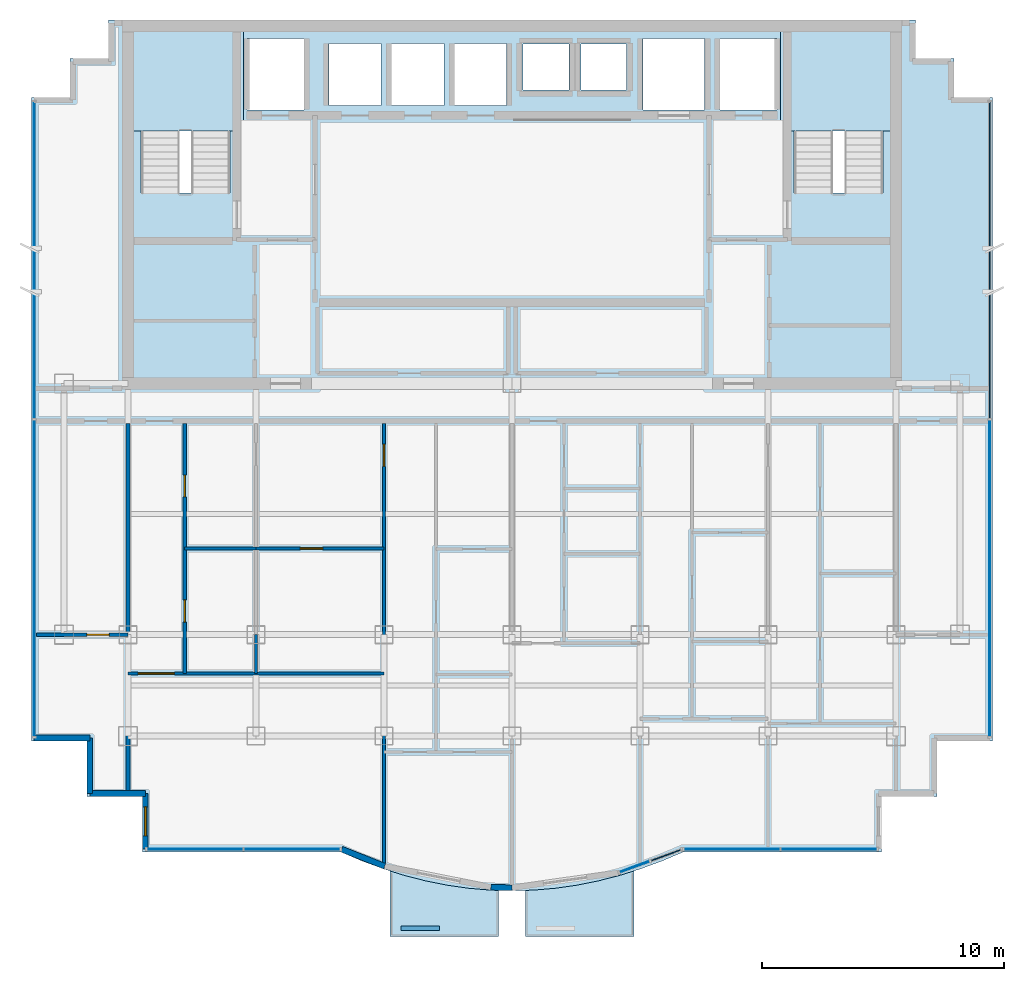
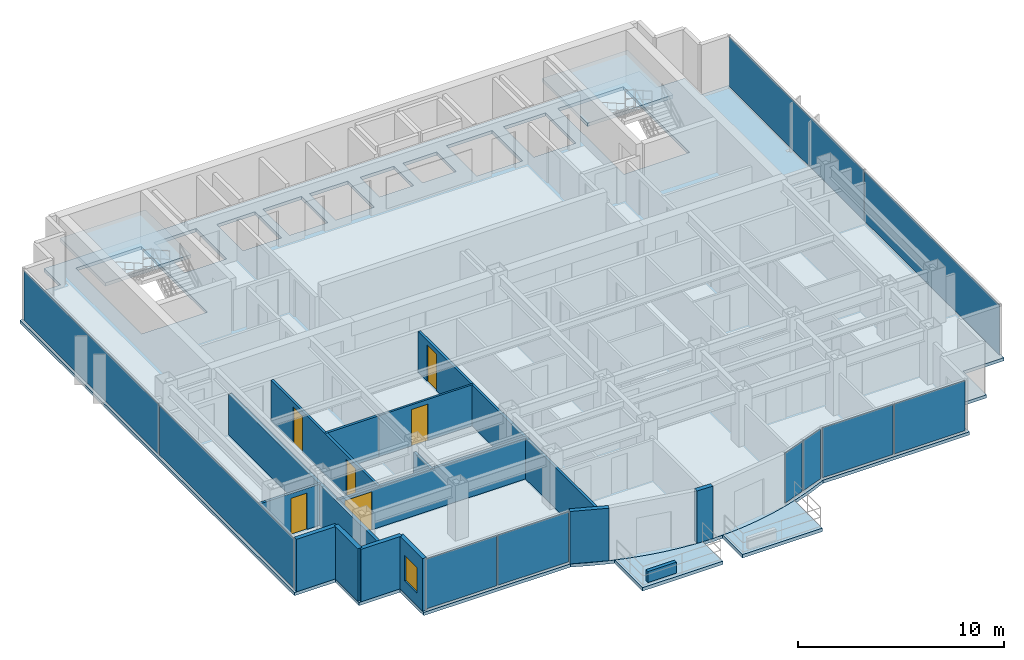
# One storey, part 6 of 12: 15 walls, 10 plates, 6 doors, 5 slabs, 1 window, 7 openings, 7 elements without a shape of their own.
"""IFC4 building model written with IfcOpenShell, lengths in metres."""

from ifc_helpers import new_model, si_unit, direction, frame, frame_2d, origin, origin_2d, place, context, subcontext, project, spatial, polyline, rectangle, outline, extrude, source, transform, mapped, material, layer, layer_set, type_object, element, fill, aggregate, save


model = new_model("IFC4")

# Units and contexts
model_context = context("Model", 3, precision=1e-05, world=origin(), true_north=direction((0.0, 1.0)))
body_context = subcontext(model_context, "Body", "Model", "MODEL_VIEW")
ifc_project = project(units=[si_unit("LENGTHUNIT", "METRE"), si_unit("AREAUNIT", "SQUARE_METRE"), si_unit("VOLUMEUNIT", "CUBIC_METRE"), si_unit("PLANEANGLEUNIT", "RADIAN"), si_unit("MASSUNIT", "GRAM", prefix="KILO")], contexts=[model_context])

# Site, building, storey
site_placement = place(None, origin())
site = spatial("IfcSite", under=ifc_project, at=site_placement, CompositionType="ELEMENT")
building_placement = place(site_placement, origin())
building = spatial("IfcBuilding", under=site, at=building_placement, Name="Qianlan Lanfeng Residences", CompositionType="ELEMENT")
storey_placement = place(building_placement, frame((0.0, 0.0, 216.5)))
storey = spatial("IfcBuildingStorey", under=building, at=storey_placement, Name="L59", CompositionType="ELEMENT", Elevation=216.5)

# Slabs
ifc_material_1 = material(Name="Concrete C42", Category="concrete")
ifc_layer_1 = layer(ifc_material_1, 0.199951171875)
ifc_layer_set_1 = layer_set([ifc_layer_1], Name="Concrete C42")
slab_type_1 = type_object("IfcSlabType", Name="S-BAL-200", PredefinedType="FLOOR", material=ifc_layer_set_1)
slab_1_placement = place(storey_placement, frame((0.0, 0.0, -0.199951171875)))
element("IfcSlab", 1, at=slab_1_placement, inside=storey, type_object=slab_type_1, Name="L59 Planted Tree Balcony Slab SB-W", PredefinedType="FLOOR", context=body_context, shape_type="SweptSolid", body=[
    extrude(outline(polyline([(25.949951171875, 4.216064453125), (25.614990234375, 4.22509765625), (24.72998046875, 4.300048828125), (23.844970703125, 4.425048828125), (22.9599609375, 4.60009765625), (22.074951171875, 4.824951171875), (21.449951171875, 5.01904296875), (21.449951171875, 2.300048828125), (25.949951171875, 2.300048828125), (25.949951171875, 4.216064453125)])), origin(), (0.0, 0.0, 1.0), 0.199951171875),
])
slab_2_placement = place(storey_placement, frame((0.0, 0.0, -0.199951171875)))
element("IfcSlab", 2, at=slab_2_placement, inside=storey, type_object=slab_type_1, Name="L59 Planted Tree Balcony Slab SB-E", PredefinedType="FLOOR", context=body_context, shape_type="SweptSolid", body=[
    extrude(outline(polyline([(31.550048828125, 5.01904296875), (30.925048828125, 4.824951171875), (30.0400390625, 4.60009765625), (29.155029296875, 4.425048828125), (28.27001953125, 4.300048828125), (27.385009765625, 4.22509765625), (27.050048828125, 4.216064453125), (27.050048828125, 2.300048828125), (31.550048828125, 2.300048828125), (31.550048828125, 5.01904296875)])), origin(), (0.0, 0.0, 1.0), 0.199951171875),
])
ifc_layer_2 = layer(ifc_material_1, 0.18994140625)
ifc_layer_set_2 = layer_set([ifc_layer_2], Name="Concrete C42")
slab_type_2 = type_object("IfcSlabType", Name="S-FL-190", PredefinedType="FLOOR", material=ifc_layer_set_2)
slab_3_placement = place(storey_placement, frame((0.0, 0.0, -0.18994140625)))
element("IfcSlab", 3, at=slab_3_placement, inside=storey, type_object=slab_type_2, Name="L59 Structural Floor Slab", PredefinedType="FLOOR", context=body_context, shape_type="SweptSolid", body=[
    extrude(outline(polyline([(6.60009765625, 10.39990234375), (8.89990234375, 10.39990234375), (8.89990234375, 8.10009765625), (11.199951171875, 8.10009765625), (11.199951171875, 5.800048828125), (19.419921875, 5.800048828125), (20.304931640625, 5.425048828125), (21.18994140625, 5.10009765625), (22.074951171875, 4.824951171875), (22.9599609375, 4.60009765625), (23.844970703125, 4.425048828125), (24.72998046875, 4.300048828125), (25.614990234375, 4.22509765625), (26.5, 4.199951171875), (27.385009765625, 4.22509765625), (28.27001953125, 4.300048828125), (29.155029296875, 4.425048828125), (30.0400390625, 4.60009765625), (30.925048828125, 4.824951171875), (31.81005859375, 5.10009765625), (32.695068359375, 5.425048828125), (33.580078125, 5.800048828125), (41.800048828125, 5.800048828125), (41.800048828125, 8.10009765625), (44.10009765625, 8.10009765625), (44.10009765625, 10.39990234375), (46.39990234375, 10.39990234375), (46.39990234375, 37.050048828125), (44.800048828125, 37.050048828125), (44.800048828125, 38.64990234375), (43.199951171875, 38.64990234375), (43.199951171875, 40.25), (9.800048828125, 40.25), (9.800048828125, 38.64990234375), (8.199951171875, 38.64990234375), (8.199951171875, 37.050048828125), (6.60009765625, 37.050048828125), (6.60009765625, 10.39990234375)]), holes=[polyline([(11.139892578125, 33.080078125), (11.139892578125, 39.5), (14.820068359375, 39.5), (14.820068359375, 33.080078125), (11.139892578125, 33.080078125)]), polyline([(38.179931640625, 33.080078125), (38.179931640625, 39.5), (41.860107421875, 39.5), (41.860107421875, 33.080078125), (38.179931640625, 33.080078125)]), polyline([(15.52001953125, 36.52001953125), (15.52001953125, 39.47998046875), (17.8798828125, 39.47998046875), (17.8798828125, 36.52001953125), (15.52001953125, 36.52001953125)]), polyline([(35.1201171875, 36.52001953125), (35.1201171875, 39.47998046875), (37.47998046875, 39.47998046875), (37.47998046875, 36.52001953125), (35.1201171875, 36.52001953125)]), polyline([(31.919921875, 36.52001953125), (31.919921875, 39.47998046875), (34.47998046875, 39.47998046875), (34.47998046875, 36.52001953125), (31.919921875, 36.52001953125)]), polyline([(18.919921875, 36.719970703125), (18.919921875, 39.280029296875), (21.080078125, 39.280029296875), (21.080078125, 36.719970703125), (18.919921875, 36.719970703125)]), polyline([(21.52001953125, 36.719970703125), (21.52001953125, 39.280029296875), (23.679931640625, 39.280029296875), (23.679931640625, 36.719970703125), (21.52001953125, 36.719970703125)]), polyline([(24.1201171875, 36.719970703125), (24.1201171875, 39.280029296875), (26.280029296875, 39.280029296875), (26.280029296875, 36.719970703125), (24.1201171875, 36.719970703125)]), polyline([(26.949951171875, 37.35009765625), (26.949951171875, 39.25), (28.85009765625, 39.25), (28.85009765625, 37.35009765625), (26.949951171875, 37.35009765625)]), polyline([(29.35009765625, 37.35009765625), (29.35009765625, 39.25), (31.25, 39.25), (31.25, 37.35009765625), (29.35009765625, 37.35009765625)])]), origin(), (0.0, 0.0, 1.0), 0.18994140625),
])

# Stair, slab
stair_type = type_object("IfcStairType", Name="STR-MAIN", PredefinedType="HALF_TURN_STAIR", material=ifc_material_1)
stair_1_placement = place(storey_placement, origin())
stair_1 = element("IfcStair", 4, at=stair_1_placement, inside=storey, type_object=stair_type, Name="L59 Exit Stair ST-1", PredefinedType="HALF_TURN_STAIR")
ifc_layer_3 = layer(ifc_material_1, 0.179931640625)
ifc_layer_set_3 = layer_set([ifc_layer_3], Name="Concrete C42")
slab_type_3 = type_object("IfcSlabType", Name="S-LND-180", PredefinedType="LANDING", material=ifc_layer_set_3)
slab_4_placement = place(storey_placement, frame((0.0, 0.0, 1.449951171875)))
slab_4 = element("IfcSlab", 5, at=slab_4_placement, type_object=slab_type_3, Name="ST-1 landing 1", PredefinedType="LANDING", context=body_context, shape_type="SweptSolid", body=[
    extrude(outline(polyline([(10.580078125, 35.659912109375), (15.3798828125, 35.659912109375), (15.3798828125, 40.050048828125), (10.580078125, 40.050048828125), (10.580078125, 35.659912109375)])), origin(), (0.0, 0.0, 1.0), 0.199951171875),
])
aggregate(stair_1, [slab_4])

stair_2_placement = place(storey_placement, origin())
stair_2 = element("IfcStair", 6, at=stair_2_placement, inside=storey, type_object=stair_type, Name="L59 Exit Stair ST-2", PredefinedType="HALF_TURN_STAIR")
slab_5_placement = place(storey_placement, frame((0.0, 0.0, 1.449951171875)))
slab_5 = element("IfcSlab", 7, at=slab_5_placement, type_object=slab_type_3, Name="ST-2 landing 1", PredefinedType="LANDING", context=body_context, shape_type="SweptSolid", body=[
    extrude(outline(polyline([(37.6201171875, 35.659912109375), (42.419921875, 35.659912109375), (42.419921875, 40.050048828125), (37.6201171875, 40.050048828125), (37.6201171875, 35.659912109375)])), origin(), (0.0, 0.0, 1.0), 0.199951171875),
])
aggregate(stair_2, [slab_5])

# Curtain wall, plates
ifc_material_2 = material(Name="Anodised Bronze Aluminium 6063-T6", Category="aluminium")
ifc_layer_4 = layer(ifc_material_2, 0.219970703125)
ifc_layer_set_4 = layer_set([ifc_layer_4], Name="Anodised Bronze Aluminium 6063-T6")
curtain_wall_type = type_object("IfcCurtainWallType", Name="CW-05", PredefinedType="NOTDEFINED", material=ifc_layer_set_4)
curtain_wall_1_placement = place(storey_placement, origin())
curtain_wall_1 = element("IfcCurtainWall", 8, at=curtain_wall_1_placement, inside=storey, type_object=curtain_wall_type, Name="L59 Unitised Curtain Wall CWR-L59-01 (CW-05)", PredefinedType="NOTDEFINED")
ifc_material_3 = material(Name="Dark Bronze Tinted Insulated Glass", Category="glass")
ifc_layer_5 = layer(ifc_material_3, 0.0380859375)
ifc_layer_set_5 = layer_set([ifc_layer_5], Name="Dark Bronze Tinted Insulated Glass")
plate_type_1 = type_object("IfcPlateType", Name="PNL-GLZ-BRZ", PredefinedType="CURTAIN_PANEL", material=ifc_layer_set_5)
shared_shape_1 = source(origin(), body_context, "Body", "SweptSolid", [
    extrude(rectangle(XDim=3.951416015625, YDim=0.0380859375, at=origin_2d()), origin(), (0.0, 0.0, 1.0), 2.9619140625),
])
plate_1_placement = place(storey_placement, frame((13.36962890625, 5.919921875, 0.073974609375), z_axis=(0.0, 0.0, 1.0), x_axis=(1.0, 0.0, 0.0)))
plate_1 = element("IfcPlate", 9, at=plate_1_placement, type_object=plate_type_1, Name="CWR-L59-01 Curtain Panel 1", PredefinedType="CURTAIN_PANEL", context=body_context, shape_type="MappedRepresentation", body=[
    mapped(shared_shape_1, transform((0.0, 0.0, 0.0), scale=1.0)),
])
plate_2_placement = place(storey_placement, frame((17.394287109375, 5.919921875, 0.073974609375), z_axis=(0.0, 0.0, 1.0), x_axis=(1.0, 0.0, 0.0)))
plate_2 = element("IfcPlate", 10, at=plate_2_placement, type_object=plate_type_1, Name="CWR-L59-01 Curtain Panel 2", PredefinedType="CURTAIN_PANEL", context=body_context, shape_type="MappedRepresentation", body=[
    mapped(shared_shape_1, transform((0.0, 0.0, 0.0), scale=1.0)),
])
aggregate(curtain_wall_1, [plate_1, plate_2])

curtain_wall_2_placement = place(storey_placement, origin())
curtain_wall_2 = element("IfcCurtainWall", 11, at=curtain_wall_2_placement, inside=storey, type_object=curtain_wall_type, Name="L59 Unitised Curtain Wall CWR-L59-03 (CW-05)", PredefinedType="NOTDEFINED")
plate_3_placement = place(storey_placement, frame((35.605712890625, 5.919921875, 0.073974609375), z_axis=(0.0, 0.0, 1.0), x_axis=(1.0, 0.0, 0.0)))
plate_3 = element("IfcPlate", 12, at=plate_3_placement, type_object=plate_type_1, Name="CWR-L59-03 Curtain Panel 1", PredefinedType="CURTAIN_PANEL", context=body_context, shape_type="MappedRepresentation", body=[
    mapped(shared_shape_1, transform((0.0, 0.0, 0.0), scale=1.0)),
])
plate_4_placement = place(storey_placement, frame((39.630126953125, 5.919921875, 0.073974609375), z_axis=(0.0, 0.0, 1.0), x_axis=(1.0, 0.0, 0.0)))
plate_4 = element("IfcPlate", 13, at=plate_4_placement, type_object=plate_type_1, Name="CWR-L59-03 Curtain Panel 2", PredefinedType="CURTAIN_PANEL", context=body_context, shape_type="MappedRepresentation", body=[
    mapped(shared_shape_1, transform((0.0, 0.0, 0.0), scale=1.0)),
])
aggregate(curtain_wall_2, [plate_3, plate_4])

curtain_wall_3_placement = place(storey_placement, origin())
curtain_wall_3 = element("IfcCurtainWall", 14, at=curtain_wall_3_placement, inside=storey, type_object=curtain_wall_type, Name="L59 Unitised Curtain Wall CWR-L59-02 (CW-05)", PredefinedType="NOTDEFINED")
shared_shape_2 = source(origin(), body_context, "Body", "SweptSolid", [
    extrude(rectangle(XDim=1.30859375, YDim=0.0380859375, at=origin_2d()), origin(), (0.0, 0.0, 1.0), 2.9619140625),
])
plate_5_placement = place(storey_placement, frame((31.57568359375, 5.192138671875, 0.073974609375), z_axis=(0.0, 0.0, 1.0), x_axis=(0.938625538563, 0.344937818101, 0.0)))
plate_5 = element("IfcPlate", 15, at=plate_5_placement, type_object=plate_type_1, Name="CWR-L59-02 Curtain Panel 1", PredefinedType="CURTAIN_PANEL", context=body_context, shape_type="MappedRepresentation", body=[
    mapped(shared_shape_2, transform((0.0, 0.0, 0.0), scale=1.0)),
])
ifc_material_4 = material(Name="Perforated Anodised Bronze Aluminium Panel", Category="aluminium")
ifc_layer_6 = layer(ifc_material_4, 0.0419921875)
ifc_layer_set_6 = layer_set([ifc_layer_6], Name="Perforated Anodised Bronze Aluminium Panel")
plate_type_2 = type_object("IfcPlateType", Name="PNL-PRF-BRZ", PredefinedType="CURTAIN_PANEL", material=ifc_layer_set_6)
shared_shape_3 = source(origin(), body_context, "Body", "SweptSolid", [
    extrude(rectangle(XDim=1.30859375, YDim=0.0419921875, at=origin_2d()), origin(), (0.0, 0.0, 1.0), 2.9619140625),
])
plate_6_placement = place(storey_placement, frame((32.872314453125, 5.668701171875, 0.073974609375), z_axis=(0.0, 0.0, 1.0), x_axis=(0.938625538563, 0.344937818101, 0.0)))
plate_6 = element("IfcPlate", 16, at=plate_6_placement, type_object=plate_type_2, Name="CWR-L59-02 Curtain Panel 2", PredefinedType="CURTAIN_PANEL", context=body_context, shape_type="MappedRepresentation", body=[
    mapped(shared_shape_3, transform((0.0, 0.0, 0.0), scale=1.0)),
])
aggregate(curtain_wall_3, [plate_5, plate_6])

# Curtain wall, plate
curtain_wall_4_placement = place(storey_placement, origin())
curtain_wall_4 = element("IfcCurtainWall", 17, at=curtain_wall_4_placement, inside=storey, type_object=curtain_wall_type, Name="L59 Unitised Curtain Wall CWR-L59-04 (CW-05)", PredefinedType="NOTDEFINED")
shared_shape_4 = source(origin(), body_context, "Body", "SweptSolid", [
    extrude(rectangle(XDim=13.094482421875, YDim=0.0380859375, at=origin_2d()), origin(), (0.0, 0.0, 1.0), 2.9619140625),
])
plate_7_placement = place(storey_placement, frame((46.280029296875, 17.14111328125, 0.073974609375), z_axis=(0.0, 0.0, 1.0), x_axis=(0.0, 1.0, 0.0)))
plate_7 = element("IfcPlate", 18, at=plate_7_placement, type_object=plate_type_1, Name="CWR-L59-04 Curtain Panel 1", PredefinedType="CURTAIN_PANEL", context=body_context, shape_type="MappedRepresentation", body=[
    mapped(shared_shape_4, transform((0.0, 0.0, 0.0), scale=1.0)),
])

# Curtain wall, plates
curtain_wall_5_placement = place(storey_placement, origin())
curtain_wall_5 = element("IfcCurtainWall", 19, at=curtain_wall_5_placement, inside=storey, type_object=curtain_wall_type, Name="L59 Unitised Curtain Wall CWR-L59-05 (CW-05)", PredefinedType="NOTDEFINED")
plate_8_placement = place(storey_placement, frame((6.719970703125, 30.30859375, 0.073974609375), z_axis=(0.0, 0.0, 1.0), x_axis=(0.0, -1.0, 0.0)))
plate_8 = element("IfcPlate", 20, at=plate_8_placement, type_object=plate_type_1, Name="CWR-L59-05 Curtain Panel 1", PredefinedType="CURTAIN_PANEL", context=body_context, shape_type="MappedRepresentation", body=[
    mapped(shared_shape_4, transform((0.0, 0.0, 0.0), scale=1.0)),
])
plate_9_placement = place(storey_placement, frame((6.719970703125, 17.14111328125, 0.073974609375), z_axis=(0.0, 0.0, 1.0), x_axis=(0.0, -1.0, 0.0)))
plate_9 = element("IfcPlate", 21, at=plate_9_placement, type_object=plate_type_1, Name="CWR-L59-05 Curtain Panel 2", PredefinedType="CURTAIN_PANEL", context=body_context, shape_type="MappedRepresentation", body=[
    mapped(shared_shape_4, transform((0.0, 0.0, 0.0), scale=1.0)),
])
aggregate(curtain_wall_5, [plate_8, plate_9])

# Plate
shared_shape_5 = source(origin(), body_context, "Body", "SweptSolid", [
    extrude(rectangle(XDim=13.094482421875, YDim=0.0419921875, at=origin_2d()), origin(), (0.0, 0.0, 1.0), 2.9619140625),
])
plate_10_placement = place(storey_placement, frame((46.280029296875, 30.30859375, 0.073974609375), z_axis=(0.0, 0.0, 1.0), x_axis=(0.0, 1.0, 0.0)))
plate_10 = element("IfcPlate", 22, at=plate_10_placement, type_object=plate_type_2, Name="CWR-L59-04 Curtain Panel 2", PredefinedType="CURTAIN_PANEL", context=body_context, shape_type="MappedRepresentation", body=[
    mapped(shared_shape_5, transform((0.0, 0.0, 0.0), scale=1.0)),
])

aggregate(curtain_wall_4, [plate_7, plate_10])

# Walls
ifc_layer_7 = layer(ifc_material_1, 0.239990234375)
ifc_layer_set_7 = layer_set([ifc_layer_7], Name="Concrete C42")
wall_type_1 = type_object("IfcWallType", Name="EW-240", PredefinedType="SOLIDWALL", material=ifc_layer_set_7)
for number, where, z_axis, x_axis, name in (
    (23, (6.719970703125, 10.52001953125, 0.0), (0.0, 0.0, 1.0), (1.0, 0.0, 0.0), "L59 Exterior Facade Spandrel Wall 1"),
    (24, (9.02001953125, 10.52001953125, 0.0), (0.0, 0.0, 1.0), (0.0, -1.0, 0.0), "L59 Exterior Facade Spandrel Wall 2"),
    (25, (9.02001953125, 8.219970703125, 0.0), (0.0, 0.0, 1.0), (1.0, 0.0, 0.0), "L59 Exterior Facade Spandrel Wall 3"),
):
    element("IfcWall", number, at=place(storey_placement, frame(where, z_axis=z_axis, x_axis=x_axis)), inside=storey, type_object=wall_type_1, Name=name, PredefinedType="SOLIDWALL", context=body_context, shape_type="SweptSolid", body=[
        extrude(rectangle(XDim=2.300048828125, YDim=0.239990234375, at=frame_2d((1.14990234375, 0.0))), origin(), (0.0, 0.0, 1.0), 3.110107421875),
    ])

# Wall, opening, window
wall_1_placement = place(storey_placement, frame((11.320068359375, 8.219970703125, 0.0), z_axis=(0.0, 0.0, 1.0), x_axis=(0.0, -1.0, 0.0)))
wall_1 = element("IfcWall", 26, at=wall_1_placement, inside=storey, type_object=wall_type_1, Name="L59 Exterior Facade Spandrel Wall 4", PredefinedType="SOLIDWALL", context=body_context, shape_type="SweptSolid", body=[
    extrude(rectangle(XDim=2.300048828125, YDim=0.239990234375, at=frame_2d((1.14990234375, 0.0))), origin(), (0.0, 0.0, 1.0), 3.110107421875),
])
opening_1_placement = place(wall_1_placement, frame((0.550048828125, 0.0, 0.75)))
opening_1 = element("IfcOpeningElement", 27, at=opening_1_placement, cuts=wall_1, Name="Opening W-03", PredefinedType="OPENING", context=body_context, shape_type="SweptSolid", body=[
    extrude(rectangle(XDim=1.199951171875, YDim=1.5, at=frame_2d((0.60009765625, 0.75))), frame((0.0, 0.1298828125, 0.0), z_axis=(0.0, -1.0, 0.0), x_axis=(1.0, 0.0, 0.0)), (0.0, 0.0, 1.0), 0.260009765625),
])
ifc_material_5 = material(Name="Anodised Bronze Aluminium Framed Double Glazing", Category="aluminium")
window_type = type_object("IfcWindowType", Name="W-03", PartitioningType="SINGLE_PANEL", PredefinedType="WINDOW", material=ifc_material_5)
window_placement = place(opening_1_placement, origin())
window = element("IfcWindow", 28, at=window_placement, inside=storey, type_object=window_type, Name="L59 Facade Punched Window W-03", OverallHeight=1.5, OverallWidth=1.199951171875, PartitioningType="SINGLE_PANEL", PredefinedType="WINDOW", context=body_context, shape_type="SweptSolid", body=[
    extrude(rectangle(XDim=1.199951171875, YDim=1.5, at=frame_2d((0.60009765625, 0.75))), frame((0.0, 0.030029296875, 0.0), z_axis=(0.0, -1.0, 0.0), x_axis=(1.0, 0.0, 0.0)), (0.0, 0.0, 1.0), 0.06005859375),
])
fill(opening_1, window)

# Walls
wall_2_placement = place(storey_placement, frame((19.444091796875, 5.919921875, 0.0), z_axis=(0.0, 0.0, 1.0), x_axis=(0.92993442177, -0.367725401906, 0.0)))
element("IfcWall", 29, at=wall_2_placement, inside=storey, type_object=wall_type_1, Name="L59 Exterior Facade Spandrel Wall 5", PredefinedType="SOLIDWALL", context=body_context, shape_type="SweptSolid", body=[
    extrude(rectangle(XDim=1.91943359375, YDim=0.239990234375, at=frame_2d((0.959716796875, 0.0))), origin(), (0.0, 0.0, 1.0), 3.110107421875),
])
wall_3_placement = place(storey_placement, frame((25.6220703125, 4.344970703125, 0.0), z_axis=(0.0, 0.0, 1.0), x_axis=(0.999597960231, -0.028353446035, 0.0)))
element("IfcWall", 30, at=wall_3_placement, inside=storey, type_object=wall_type_1, Name="L59 Exterior Facade Spandrel Wall 7", PredefinedType="SOLIDWALL", context=body_context, shape_type="SweptSolid", body=[
    extrude(rectangle(XDim=0.878173828125, YDim=0.239990234375, at=frame_2d((0.43896484375, 0.0))), origin(), (0.0, 0.0, 1.0), 3.110107421875),
])
ifc_layer_8 = layer(ifc_material_1, 0.199951171875)
ifc_layer_set_8 = layer_set([ifc_layer_8], Name="Concrete C42")
wall_type_2 = type_object("IfcWallType", Name="PL-TREE-200", PredefinedType="PARAPET", material=ifc_layer_set_8)
wall_4_placement = place(storey_placement, frame((21.89990234375, 2.64990234375, 0.0), z_axis=(0.0, 0.0, 1.0), x_axis=(1.0, 0.0, 0.0)))
element("IfcWall", 31, at=wall_4_placement, inside=storey, type_object=wall_type_2, Name="L59 Balcony Tree Planter Curb SB-W", PredefinedType="PARAPET", context=body_context, shape_type="SweptSolid", body=[
    extrude(rectangle(XDim=1.60009765625, YDim=0.199951171875, at=frame_2d((0.800048828125, 0.0))), origin(), (0.0, 0.0, 1.0), 0.64990234375),
])

# Wall, opening, door
ifc_material_6 = material(Name="Demountable Acoustic Framing Partition 110 mm")
ifc_layer_9 = layer(ifc_material_6, 0.110107421875)
ifc_layer_set_9 = layer_set([ifc_layer_9], Name="Demountable Acoustic Framing Partition 110 mm")
wall_type_3 = type_object("IfcWallType", Name="PW-110", PredefinedType="MOVABLE", material=ifc_layer_set_9)
wall_5_placement = place(storey_placement, frame((15.89990234375, 18.3701171875, 0.0), z_axis=(0.0, 0.0, 1.0), x_axis=(1.0, 0.0, 0.0)))
wall_5 = element("IfcWall", 32, at=wall_5_placement, inside=storey, type_object=wall_type_3, Name="L59 U01 Study Split", PredefinedType="MOVABLE", context=body_context, shape_type="SweptSolid", body=[
    extrude(rectangle(XDim=5.300048828125, YDim=0.110107421875, at=frame_2d((2.64990234375, 0.0))), origin(), (0.0, 0.0, 1.0), 2.429931640625),
])
opening_2_placement = place(wall_5_placement, frame((1.840087890625, 0.0, 0.0)))
opening_2 = element("IfcOpeningElement", 33, at=opening_2_placement, cuts=wall_5, Name="Opening L59-D23", PredefinedType="OPENING", context=body_context, shape_type="SweptSolid", body=[
    extrude(rectangle(XDim=0.919921875, YDim=2.14990234375, at=frame_2d((0.4599609375, 1.074951171875))), frame((0.0, 0.06494140625, 0.0), z_axis=(0.0, -1.0, 0.0), x_axis=(1.0, 0.0, 0.0)), (0.0, 0.0, 1.0), 0.130126953125),
])
ifc_material_7 = material(Name="Glazed Timber Kitchen/Study Door", Category="wood")
door_type_1 = type_object("IfcDoorType", Name="DT-INT", OperationType="NOTDEFINED", PredefinedType="DOOR", material=ifc_material_7)
door_1_placement = place(opening_2_placement, origin())
door_1 = element("IfcDoor", 34, at=door_1_placement, inside=storey, type_object=door_type_1, Name="L59 U01 Study Inner Door L59-D23 (DT-INT)", OperationType="SINGLE_SWING_LEFT", OverallHeight=2.14990234375, OverallWidth=0.919921875, PredefinedType="DOOR", context=body_context, shape_type="SweptSolid", body=[
    extrude(rectangle(XDim=0.919921875, YDim=2.14990234375, at=frame_2d((0.4599609375, 1.074951171875))), frame((0.0, 0.02490234375, 0.0), z_axis=(0.0, -1.0, 0.0), x_axis=(1.0, 0.0, 0.0)), (0.0, 0.0, 1.0), 0.050048828125),
])
fill(opening_2, door_1)

ifc_material_8 = material(Name="Moisture-Resistant Gypsum Partition 135 mm")
ifc_layer_10 = layer(ifc_material_8, 0.135009765625)
ifc_layer_set_10 = layer_set([ifc_layer_10], Name="Moisture-Resistant Gypsum Partition 135 mm")
wall_type_4 = type_object("IfcWallType", Name="PW-135", PredefinedType="PARTITIONING", material=ifc_layer_set_10)
wall_6_placement = place(storey_placement, frame((21.199951171875, 5.3310546875, 0.0), z_axis=(0.0, 0.0, 1.0), x_axis=(0.0, 1.0, 0.0)))
wall_6 = element("IfcWall", 35, at=wall_6_placement, inside=storey, type_object=wall_type_4, Name="L59 U01 Bay Spine Wall 2", PredefinedType="PARTITIONING", context=body_context, shape_type="SweptSolid", body=[
    extrude(rectangle(XDim=18.218994140625, YDim=0.135009765625, at=frame_2d((9.109375, 0.0))), origin(), (0.0, 0.0, 1.0), 2.429931640625),
])
opening_3_placement = place(wall_6_placement, frame((16.43408203125, 0.0, 0.0)))
opening_3 = element("IfcOpeningElement", 36, at=opening_3_placement, cuts=wall_6, Name="Opening L59-D19", PredefinedType="OPENING", context=body_context, shape_type="SweptSolid", body=[
    extrude(rectangle(XDim=0.919921875, YDim=2.14990234375, at=frame_2d((0.4599609375, 1.074951171875))), frame((0.0, 0.07763671875, 0.0), z_axis=(0.0, -1.0, 0.0), x_axis=(1.0, 0.0, 0.0)), (0.0, 0.0, 1.0), 0.155029296875),
])
door_2_placement = place(opening_3_placement, origin())
door_2 = element("IfcDoor", 37, at=door_2_placement, inside=storey, type_object=door_type_1, Name="L59 U01 Internal Hall Door L59-D19 (DT-INT)", OperationType="SINGLE_SWING_LEFT", OverallHeight=2.14990234375, OverallWidth=0.919921875, PredefinedType="DOOR", context=body_context, shape_type="SweptSolid", body=[
    extrude(rectangle(XDim=0.919921875, YDim=2.14990234375, at=frame_2d((0.4599609375, 1.074951171875))), frame((0.0, 0.02490234375, 0.0), z_axis=(0.0, -1.0, 0.0), x_axis=(1.0, 0.0, 0.0)), (0.0, 0.0, 1.0), 0.050048828125),
])
fill(opening_3, door_2)

# Wall
wall_7_placement = place(storey_placement, frame((15.89990234375, 13.18994140625, 0.0), z_axis=(0.0, 0.0, 1.0), x_axis=(0.0, 1.0, 0.0)))
element("IfcWall", 38, at=wall_7_placement, inside=storey, type_object=wall_type_4, Name="L59 U01 Mid Column Wall", PredefinedType="PARTITIONING", context=body_context, shape_type="SweptSolid", body=[
    extrude(rectangle(XDim=1.610107421875, YDim=0.135009765625, at=frame_2d((0.80517578125, 0.0))), origin(), (0.0, 0.0, 1.0), 2.429931640625),
])

# Wall, opening, door
wall_8_placement = place(storey_placement, frame((10.60009765625, 13.18994140625, 0.0), z_axis=(0.0, 0.0, 1.0), x_axis=(1.0, 0.0, 0.0)))
wall_8 = element("IfcWall", 39, at=wall_8_placement, inside=storey, type_object=wall_type_4, Name="L59 U01 Grand Living North Wall", PredefinedType="PARTITIONING", context=body_context, shape_type="SweptSolid", body=[
    extrude(rectangle(XDim=10.599853515625, YDim=0.135009765625, at=frame_2d((5.2998046875, 0.0))), origin(), (0.0, 0.0, 1.0), 2.429931640625),
])
opening_4_placement = place(wall_8_placement, frame((0.425048828125, 0.0, 0.0)))
opening_4 = element("IfcOpeningElement", 40, at=opening_4_placement, cuts=wall_8, Name="Opening L59-D20", PredefinedType="OPENING", context=body_context, shape_type="SweptSolid", body=[
    extrude(rectangle(XDim=1.5, YDim=2.25, at=frame_2d((0.75, 1.125))), frame((0.0, 0.07763671875, 0.0), z_axis=(0.0, -1.0, 0.0), x_axis=(1.0, 0.0, 0.0)), (0.0, 0.0, 1.0), 0.155029296875),
])
ifc_material_9 = material(Name="Timber Veneer Acoustic Fire Door", Category="wood")
door_type_2 = type_object("IfcDoorType", Name="DT-COR1", OperationType="NOTDEFINED", PredefinedType="DOOR", material=ifc_material_9)
door_3_placement = place(opening_4_placement, origin())
door_3 = element("IfcDoor", 41, at=door_3_placement, inside=storey, type_object=door_type_2, Name="L59 U01 Grand Living Door L59-D20 (DT-COR1)", OperationType="DOUBLE_DOOR_SINGLE_SWING", OverallHeight=2.25, OverallWidth=1.5, PredefinedType="DOOR", context=body_context, shape_type="SweptSolid", body=[
    extrude(rectangle(XDim=1.5, YDim=2.25, at=frame_2d((0.75, 1.125))), frame((0.0, 0.02490234375, 0.0), z_axis=(0.0, -1.0, 0.0), x_axis=(1.0, 0.0, 0.0)), (0.0, 0.0, 1.0), 0.050048828125),
])
fill(opening_4, door_3)

# Wall, openings, doors
wall_9_placement = place(storey_placement, frame((12.949951171875, 13.18994140625, 0.0), z_axis=(0.0, 0.0, 1.0), x_axis=(0.0, 1.0, 0.0)))
wall_9 = element("IfcWall", 42, at=wall_9_placement, inside=storey, type_object=wall_type_4, Name="L59 U01 Kitchen/Bath Wall", PredefinedType="PARTITIONING", context=body_context, shape_type="SweptSolid", body=[
    extrude(rectangle(XDim=10.360107421875, YDim=0.135009765625, at=frame_2d((5.18017578125, 0.0))), origin(), (0.0, 0.0, 1.0), 2.429931640625),
])
opening_5_placement = place(wall_9_placement, frame((2.1298828125, 0.0, 0.0)))
opening_5 = element("IfcOpeningElement", 43, at=opening_5_placement, cuts=wall_9, Name="Opening L59-D21", PredefinedType="OPENING", context=body_context, shape_type="SweptSolid", body=[
    extrude(rectangle(XDim=0.919921875, YDim=2.14990234375, at=frame_2d((0.4599609375, 1.074951171875))), frame((0.0, 0.07763671875, 0.0), z_axis=(0.0, -1.0, 0.0), x_axis=(1.0, 0.0, 0.0)), (0.0, 0.0, 1.0), 0.155029296875),
])
opening_6_placement = place(wall_9_placement, frame((7.320068359375, 0.0, 0.0)))
opening_6 = element("IfcOpeningElement", 44, at=opening_6_placement, cuts=wall_9, Name="Opening L59-D22", PredefinedType="OPENING", context=body_context, shape_type="SweptSolid", body=[
    extrude(rectangle(XDim=0.89990234375, YDim=2.14990234375, at=frame_2d((0.449951171875, 1.074951171875))), frame((0.0, 0.07763671875, 0.0), z_axis=(0.0, -1.0, 0.0), x_axis=(1.0, 0.0, 0.0)), (0.0, 0.0, 1.0), 0.155029296875),
])
door_4_placement = place(opening_5_placement, origin())
door_4 = element("IfcDoor", 45, at=door_4_placement, inside=storey, type_object=door_type_1, Name="L59 U01 Kitchen Door L59-D21 (DT-INT)", OperationType="SINGLE_SWING_LEFT", OverallHeight=2.14990234375, OverallWidth=0.919921875, PredefinedType="DOOR", context=body_context, shape_type="SweptSolid", body=[
    extrude(rectangle(XDim=0.919921875, YDim=2.14990234375, at=frame_2d((0.4599609375, 1.074951171875))), frame((0.0, 0.02490234375, 0.0), z_axis=(0.0, -1.0, 0.0), x_axis=(1.0, 0.0, 0.0)), (0.0, 0.0, 1.0), 0.050048828125),
])
fill(opening_5, door_4)
ifc_material_10 = material(Name="Moisture-Resistant Timber Leaf", Category="wood")
door_type_3 = type_object("IfcDoorType", Name="DT-WC", OperationType="NOTDEFINED", PredefinedType="DOOR", material=ifc_material_10)
door_5_placement = place(opening_6_placement, origin())
door_5 = element("IfcDoor", 46, at=door_5_placement, inside=storey, type_object=door_type_3, Name="L59 U01 Bathroom Door L59-D22 (DT-WC)", OperationType="SINGLE_SWING_RIGHT", OverallHeight=2.14990234375, OverallWidth=0.89990234375, PredefinedType="DOOR", context=body_context, shape_type="SweptSolid", body=[
    extrude(rectangle(XDim=0.89990234375, YDim=2.14990234375, at=frame_2d((0.449951171875, 1.074951171875))), frame((0.0, 0.02490234375, 0.0), z_axis=(0.0, -1.0, 0.0), x_axis=(1.0, 0.0, 0.0)), (0.0, 0.0, 1.0), 0.050048828125),
])
fill(opening_6, door_5)

# Wall
wall_10_placement = place(storey_placement, frame((12.949951171875, 18.3701171875, 0.0), z_axis=(0.0, 0.0, 1.0), x_axis=(1.0, 0.0, 0.0)))
element("IfcWall", 47, at=wall_10_placement, inside=storey, type_object=wall_type_4, Name="L59 U01 Bath Split Wall", PredefinedType="PARTITIONING", context=body_context, shape_type="SweptSolid", body=[
    extrude(rectangle(XDim=2.949951171875, YDim=0.135009765625, at=frame_2d((1.47509765625, 0.0))), origin(), (0.0, 0.0, 1.0), 2.429931640625),
])

# Wall, opening, door
wall_11_placement = place(storey_placement, frame((6.820068359375, 14.800048828125, 0.0), z_axis=(0.0, 0.0, 1.0), x_axis=(1.0, 0.0, 0.0)))
wall_11 = element("IfcWall", 48, at=wall_11_placement, inside=storey, type_object=wall_type_4, Name="L59 SWP Mid Partition", PredefinedType="PARTITIONING", context=body_context, shape_type="SweptSolid", body=[
    extrude(rectangle(XDim=3.780029296875, YDim=0.135009765625, at=frame_2d((1.89013671875, 0.0))), origin(), (0.0, 0.0, 1.0), 2.429931640625),
])
opening_7_placement = place(wall_11_placement, frame((2.080078125, 0.0, 0.0)))
opening_7 = element("IfcOpeningElement", 49, at=opening_7_placement, cuts=wall_11, Name="Opening L59-D42", PredefinedType="OPENING", context=body_context, shape_type="SweptSolid", body=[
    extrude(rectangle(XDim=0.919921875, YDim=2.14990234375, at=frame_2d((0.4599609375, 1.074951171875))), frame((0.0, 0.07763671875, 0.0), z_axis=(0.0, -1.0, 0.0), x_axis=(1.0, 0.0, 0.0)), (0.0, 0.0, 1.0), 0.155029296875),
])
door_6_placement = place(opening_7_placement, origin())
door_6 = element("IfcDoor", 50, at=door_6_placement, inside=storey, type_object=door_type_1, Name="L59 SWP Inner Door L59-D42 (DT-INT)", OperationType="SINGLE_SWING_LEFT", OverallHeight=2.14990234375, OverallWidth=0.919921875, PredefinedType="DOOR", context=body_context, shape_type="SweptSolid", body=[
    extrude(rectangle(XDim=0.919921875, YDim=2.14990234375, at=frame_2d((0.4599609375, 1.074951171875))), frame((0.0, 0.02490234375, 0.0), z_axis=(0.0, -1.0, 0.0), x_axis=(1.0, 0.0, 0.0)), (0.0, 0.0, 1.0), 0.050048828125),
])
fill(opening_7, door_6)

# Wall
ifc_material_11 = material(Name="Double-Layer Acoustic Gypsum Stud Wall 180 mm")
ifc_layer_11 = layer(ifc_material_11, 0.179931640625)
ifc_layer_set_11 = layer_set([ifc_layer_11], Name="Double-Layer Acoustic Gypsum Stud Wall 180 mm")
wall_type_5 = type_object("IfcWallType", Name="PW-180", PredefinedType="PARTITIONING", material=ifc_layer_set_11)
wall_12_placement = place(storey_placement, frame((10.60009765625, 8.320068359375, 0.0), z_axis=(0.0, 0.0, 1.0), x_axis=(0.0, 1.0, 0.0)))
element("IfcWall", 51, at=wall_12_placement, inside=storey, type_object=wall_type_5, Name="L59 Wing Boundary Party Wall W0", PredefinedType="PARTITIONING", context=body_context, shape_type="SweptSolid", body=[
    extrude(rectangle(XDim=15.22998046875, YDim=0.179931640625, at=frame_2d((7.614990234375, 0.0))), origin(), (0.0, 0.0, 1.0), 2.429931640625),
])

save(model, "model.ifc")
